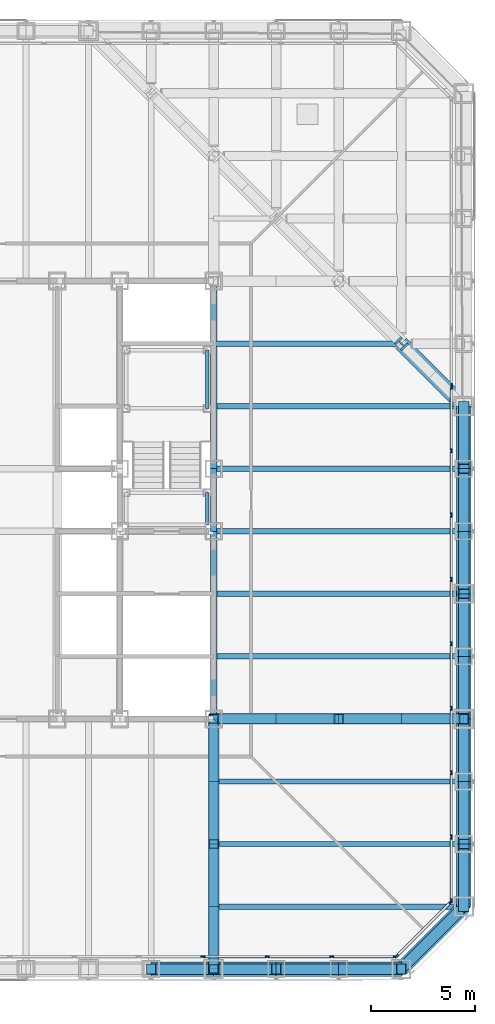
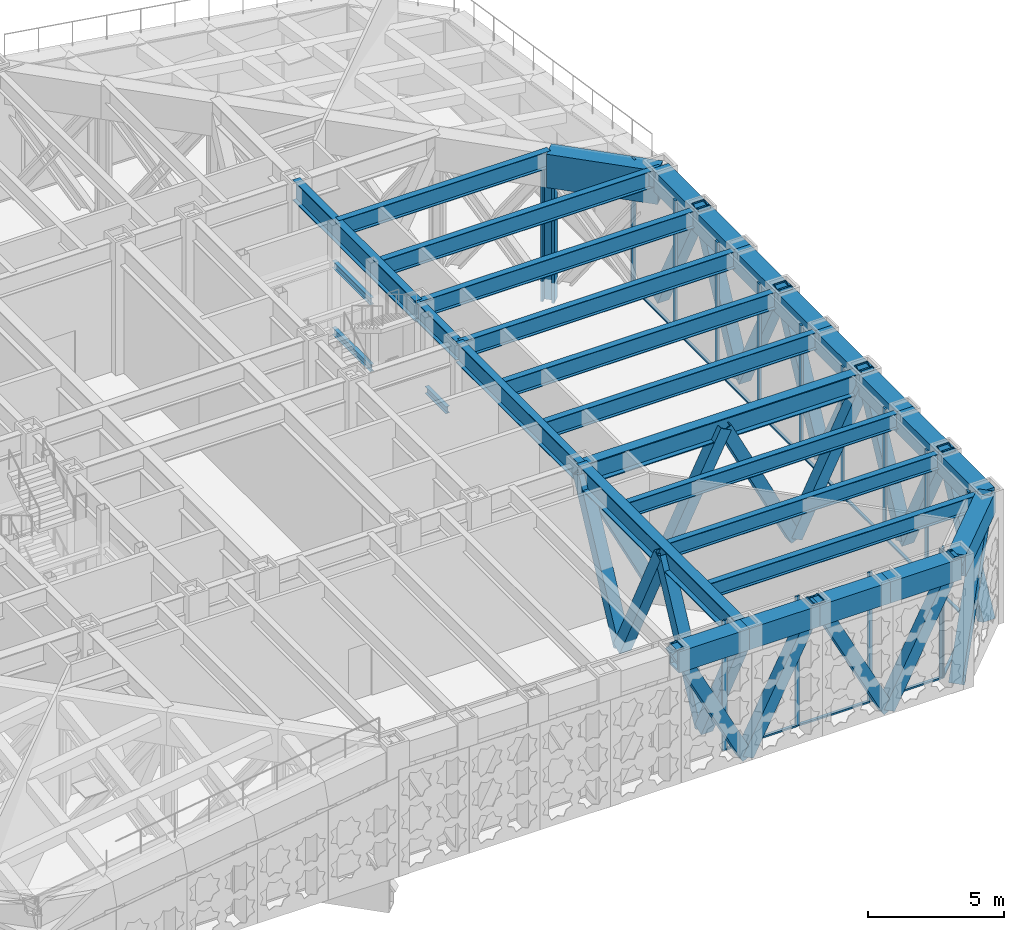
# One storey, part 7 of 31: 51 members, 30 beams, 4 elements without a shape of their own.
"""IFC4 building model written with IfcOpenShell, lengths in metres."""

from ifc_helpers import new_model, si_unit, direction, frame, origin, origin_2d, place, context, subcontext, project, spatial, rectangle, hollow_rectangle, i_section, extrude, material, layer, layer_set, material_profile, profile_set, type_object, element, aggregate, save


model = new_model("IFC4")

# Units and contexts
model_context = context("Model", 3, precision=1e-05, world=origin(), true_north=direction((0.0, 1.0)))
body_context = subcontext(model_context, "Body", "Model", "MODEL_VIEW")
ifc_project = project(units=[si_unit("LENGTHUNIT", "METRE"), si_unit("AREAUNIT", "SQUARE_METRE"), si_unit("VOLUMEUNIT", "CUBIC_METRE"), si_unit("PLANEANGLEUNIT", "RADIAN"), si_unit("MASSUNIT", "GRAM", prefix="KILO")], contexts=[model_context])

# Site, building, storey
site_placement = place(None, origin())
site = spatial("IfcSite", under=ifc_project, at=site_placement, CompositionType="ELEMENT")
building_placement = place(site_placement, origin())
building = spatial("IfcBuilding", under=site, at=building_placement, Name="Chuquiago Exchange Tower", CompositionType="ELEMENT")
storey_placement = place(building_placement, frame((0.0, 0.0, 96.300048828125)))
storey = spatial("IfcBuildingStorey", under=building, at=storey_placement, Name="L20", CompositionType="ELEMENT", Elevation=96.300048828125)

# Beams
ifc_material_1 = material(Name="Steel ASTM A992", Category="steel")
ifc_material_profile_1 = material_profile(ifc_material_1, i_section(OverallWidth=0.307373046875, OverallDepth=0.927001953125, WebThickness=0.01953125, FlangeThickness=0.031982421875, at=origin_2d()), Name="W36X194")
ifc_profile_set_1 = profile_set([ifc_material_profile_1], Name="Steel ASTM A992")
beam_type_1 = type_object("IfcBeamType", Name="B10 W36X194", PredefinedType="BEAM", material=ifc_profile_set_1)
for number, where, z_axis, x_axis, name in (
    (1, (33.0, 12.0, 5.37646484375), (0.0, 1.0, 0.0), (-1.0, 0.0, 0.0), "CB-L21-33_12-33_21"),
    (2, (33.0, 24.0, 5.37646484375), (0.0, 1.0, 0.0), (-1.0, 0.0, 0.0), "CB-L21-33_24-33_33"),
):
    element("IfcBeam", number, at=place(storey_placement, frame(where, z_axis=z_axis, x_axis=x_axis)), inside=storey, type_object=beam_type_1, Name=name, PredefinedType="BEAM", context=body_context, shape_type="SweptSolid", body=[
        extrude(i_section(OverallWidth=0.307373046875, OverallDepth=0.927001953125, WebThickness=0.01953125, FlangeThickness=0.031982421875, at=origin_2d()), origin(), (0.0, 0.0, 1.0), 9.0),
    ])
ifc_material_2 = material(Name="Steel ASTM A992", Category="steel")
ifc_material_profile_2 = material_profile(ifc_material_2, i_section(OverallWidth=0.2919921875, OverallDepth=0.8583984375, WebThickness=0.01708984375, FlangeThickness=0.031005859375, at=origin_2d()), Name="W33X169")
ifc_profile_set_2 = profile_set([ifc_material_profile_2], Name="Steel ASTM A992")
beam_type_2 = type_object("IfcBeamType", Name="B3 W33X169", PredefinedType="BEAM", material=ifc_profile_set_2)
beam_1_placement = place(storey_placement, frame((33.0, 21.0, 5.41064453125), z_axis=(0.0, 1.0, 0.0), x_axis=(-1.0, 0.0, 0.0)))
element("IfcBeam", 3, at=beam_1_placement, inside=storey, type_object=beam_type_2, Name="CB-L21-33_21-33_24", PredefinedType="BEAM", context=body_context, shape_type="SweptSolid", body=[
    extrude(i_section(OverallWidth=0.2919921875, OverallDepth=0.8583984375, WebThickness=0.01708984375, FlangeThickness=0.031005859375, at=origin_2d()), origin(), (0.0, 0.0, 1.0), 3.0),
])
ifc_material_3 = material(Name="Steel ASTM A992", Category="steel")
ifc_material_profile_3 = material_profile(ifc_material_3, i_section(OverallWidth=0.2666015625, OverallDepth=0.761962890625, WebThickness=0.014404296875, FlangeThickness=0.021484375, at=origin_2d()), Name="W30X116")
ifc_profile_set_3 = profile_set([ifc_material_profile_3], Name="Steel ASTM A992")
beam_type_3 = type_object("IfcBeamType", Name="B8 W30X116", PredefinedType="BEAM", material=ifc_profile_set_3)
for number, where, z_axis, x_axis, name in (
    (4, (33.0, 15.0, 5.458984375), (1.0, 0.0, 0.0), (0.0, 1.0, 0.0), "FB-L21-infill-33_15-45_15-0"),
    (5, (33.0, 18.0, 5.458984375), (1.0, 0.0, 0.0), (0.0, 1.0, 0.0), "FB-L21-infill-33_18-45_18-0"),
    (6, (33.0, 21.0, 5.458984375), (1.0, 0.0, 0.0), (0.0, 1.0, 0.0), "FB-L21-infill-33_21-45_21-0"),
    (7, (33.0, 24.0, 5.458984375), (1.0, 0.0, 0.0), (0.0, 1.0, 0.0), "FB-L21-infill-33_24-45_24-0"),
    (8, (33.0, 27.0, 5.458984375), (1.0, 0.0, 0.0), (0.0, 1.0, 0.0), "FB-L21-infill-33_27-45_27-0"),
):
    element("IfcBeam", number, at=place(storey_placement, frame(where, z_axis=z_axis, x_axis=x_axis)), inside=storey, type_object=beam_type_3, Name=name, PredefinedType="BEAM", context=body_context, shape_type="SweptSolid", body=[
        extrude(i_section(OverallWidth=0.2666015625, OverallDepth=0.761962890625, WebThickness=0.014404296875, FlangeThickness=0.021484375, at=origin_2d()), origin(), (0.0, 0.0, 1.0), 12.0),
    ])
beam_2_placement = place(storey_placement, frame((33.0, 30.0, 5.458984375), z_axis=(1.0, 0.0, 0.0), x_axis=(0.0, 1.0, 0.0)))
element("IfcBeam", 9, at=beam_2_placement, inside=storey, type_object=beam_type_3, Name="FB-L21-infill-33_30-42_30-0", PredefinedType="BEAM", context=body_context, shape_type="SweptSolid", body=[
    extrude(i_section(OverallWidth=0.2666015625, OverallDepth=0.761962890625, WebThickness=0.014404296875, FlangeThickness=0.021484375, at=origin_2d()), origin(), (0.0, 0.0, 1.0), 9.0),
])
ifc_material_4 = material(Name="Steel ASTM A992", Category="steel")
ifc_material_profile_4 = material_profile(ifc_material_4, i_section(OverallWidth=0.256591796875, OverallDepth=0.693359375, WebThickness=0.014404296875, FlangeThickness=0.023681640625, at=origin_2d()), Name="W27X114")
ifc_profile_set_4 = profile_set([ifc_material_profile_4], Name="Steel ASTM A992")
beam_type_4 = type_object("IfcBeamType", Name="B9 W27X114", PredefinedType="BEAM", material=ifc_profile_set_4)
for number, where, z_axis, x_axis, name in (
    (10, (33.0, 3.0, 5.4931640625), (1.0, 0.0, 0.0), (0.0, 1.0, 0.0), "FB-L21-corner-33_3-45_3-0"),
    (11, (33.0, 6.0, 5.4931640625), (1.0, 0.0, 0.0), (0.0, 1.0, 0.0), "FB-L21-corner-33_6-45_6-0"),
    (12, (33.0, 9.0, 5.4931640625), (1.0, 0.0, 0.0), (0.0, 1.0, 0.0), "FB-L21-corner-33_9-45_9-0"),
):
    element("IfcBeam", number, at=place(storey_placement, frame(where, z_axis=z_axis, x_axis=x_axis)), inside=storey, type_object=beam_type_4, Name=name, PredefinedType="BEAM", context=body_context, shape_type="SweptSolid", body=[
        extrude(i_section(OverallWidth=0.256591796875, OverallDepth=0.693359375, WebThickness=0.014404296875, FlangeThickness=0.023681640625, at=origin_2d()), origin(), (0.0, 0.0, 1.0), 12.0),
    ])

# Members
ifc_material_5 = material(Name="Steel ASTM A500 Grade C", Category="steel")
ifc_material_profile_5 = material_profile(ifc_material_5, hollow_rectangle(XDim=0.508056640625, YDim=0.508056640625, WallThickness=0.017822265625, at=origin_2d()), Name="HSS20X20X3/4")
ifc_profile_set_5 = profile_set([ifc_material_profile_5], Name="Steel ASTM A500 Grade C")
member_type_1 = type_object("IfcMemberType", Name="BT2 HSS20X20X3/4", PredefinedType="BRACE", material=ifc_profile_set_5)
for number, where, z_axis, x_axis, name in (
    (13, (33.0, 0.0, 0.0), (-0.456944654405, 0.0, 0.889495128042), (0.0, -1.0, 0.0), "Belt truss L20 diagonal"),
    (14, (33.0, 0.0, 0.0), (0.456944654405, 0.0, 0.889495128042), (0.0, 1.0, 0.0), "Belt truss L20 diagonal"),
    (15, (39.0, 0.0, 0.0), (-0.456944654405, 0.0, 0.889495128042), (0.0, -1.0, 0.0), "Belt truss L20 diagonal"),
    (16, (39.0, 0.0, 0.0), (0.456944654405, 0.0, 0.889495128042), (0.0, 1.0, 0.0), "Belt truss L20 diagonal"),
):
    element("IfcMember", number, at=place(storey_placement, frame(where, z_axis=z_axis, x_axis=x_axis)), inside=storey, type_object=member_type_1, Name=name, PredefinedType="BRACE", context=body_context, shape_type="SweptSolid", body=[
        extrude(hollow_rectangle(XDim=0.508056640625, YDim=0.508056640625, WallThickness=0.017822265625, at=origin_2d()), origin(), (0.0, 0.0, 1.0), 6.5654296875),
    ])
member_1_placement = place(storey_placement, frame((42.0, 0.0, 0.0), z_axis=(0.415610642288, 0.415610642288, 0.809033737266), x_axis=(-0.707106781187, 0.707106781187, 0.0)))
element("IfcMember", 17, at=member_1_placement, inside=storey, type_object=member_type_1, Name="Belt truss L20 diagonal", PredefinedType="BRACE", context=body_context, shape_type="SweptSolid", body=[
    extrude(hollow_rectangle(XDim=0.508056640625, YDim=0.508056640625, WallThickness=0.017822265625, at=origin_2d()), origin(), (0.0, 0.0, 1.0), 7.21826171875),
])
for number, where, z_axis, x_axis, name in (
    (18, (45.0, 3.0, 0.0), (0.0, 0.456944654405, 0.889495128042), (-1.0, 0.0, 0.0), "Belt truss L20 diagonal"),
    (19, (45.0, 9.0, 0.0), (0.0, -0.456944654405, 0.889495128042), (1.0, 0.0, 0.0), "Belt truss L20 diagonal"),
    (20, (45.0, 9.0, 0.0), (0.0, 0.456944654405, 0.889495128042), (-1.0, 0.0, 0.0), "Belt truss L20 diagonal"),
    (21, (45.0, 15.0, 0.0), (0.0, -0.456944654405, 0.889495128042), (1.0, 0.0, 0.0), "Belt truss L20 diagonal"),
    (22, (45.0, 15.0, 0.0), (0.0, 0.456944654405, 0.889495128042), (-1.0, 0.0, 0.0), "Belt truss L20 diagonal"),
    (23, (45.0, 21.0, 0.0), (0.0, -0.456944654405, 0.889495128042), (1.0, 0.0, 0.0), "Belt truss L20 diagonal"),
    (24, (45.0, 21.0, 0.0), (0.0, 0.456944654405, 0.889495128042), (-1.0, 0.0, 0.0), "Belt truss L20 diagonal"),
    (25, (45.0, 27.0, 0.0), (0.0, -0.456944654405, 0.889495128042), (1.0, 0.0, 0.0), "Belt truss L20 diagonal"),
):
    element("IfcMember", number, at=place(storey_placement, frame(where, z_axis=z_axis, x_axis=x_axis)), inside=storey, type_object=member_type_1, Name=name, PredefinedType="BRACE", context=body_context, shape_type="SweptSolid", body=[
        extrude(hollow_rectangle(XDim=0.508056640625, YDim=0.508056640625, WallThickness=0.017822265625, at=origin_2d()), origin(), (0.0, 0.0, 1.0), 6.5654296875),
    ])

# Curtain wall, members
ifc_material_6 = material(Name="Aluminium curtain wall system", Category="aluminium")
ifc_layer = layer(ifc_material_6, 0.199951171875)
ifc_layer_set = layer_set([ifc_layer], Name="CW6 plant floor louvre wall")
curtain_wall_type = type_object("IfcCurtainWallType", Name="CW6 plant floor louvre wall", PredefinedType="NOTDEFINED", material=ifc_layer_set)
curtain_wall_1_placement = place(storey_placement, origin())
curtain_wall_1 = element("IfcCurtainWall", 26, at=curtain_wall_1_placement, inside=storey, type_object=curtain_wall_type, Name="CW6 curtain wall L20", PredefinedType="NOTDEFINED")
ifc_material_7 = material(Name="Aluminium mullion, pale anodised", Category="aluminium")
ifc_material_profile_6 = material_profile(ifc_material_7, rectangle(XDim=0.074951171875, YDim=0.199951171875, at=origin_2d()), Name="AL 75x200")
ifc_profile_set_6 = profile_set([ifc_material_profile_6], Name="Aluminium mullion, pale anodised")
member_type_2 = type_object("IfcMemberType", Name="CW6-M mullion 75x200", PredefinedType="MULLION", material=ifc_profile_set_6)
member_2_placement = place(storey_placement, frame((32.487060546875, 0.60009765625, 0.0), z_axis=(0.0, 0.0, 1.0), x_axis=(0.0, 1.0, 0.0)))
member_2 = element("IfcMember", 27, at=member_2_placement, type_object=member_type_2, Name="CW6 mullion 6", PredefinedType="MULLION", context=body_context, shape_type="SweptSolid", body=[
    extrude(rectangle(XDim=0.074951171875, YDim=0.199951171875, at=origin_2d()), origin(), (0.0, 0.0, 1.0), 5.83984375),
])
member_3_placement = place(storey_placement, frame((35.5751953125, 0.60009765625, 0.0), z_axis=(0.0, 0.0, 1.0), x_axis=(0.0, 1.0, 0.0)))
member_3 = element("IfcMember", 28, at=member_3_placement, type_object=member_type_2, Name="CW6 mullion 7", PredefinedType="MULLION", context=body_context, shape_type="SweptSolid", body=[
    extrude(rectangle(XDim=0.074951171875, YDim=0.199951171875, at=origin_2d()), origin(), (0.0, 0.0, 1.0), 5.83984375),
])
member_4_placement = place(storey_placement, frame((38.663330078125, 0.60009765625, 0.0), z_axis=(0.0, 0.0, 1.0), x_axis=(0.0, 1.0, 0.0)))
member_4 = element("IfcMember", 29, at=member_4_placement, type_object=member_type_2, Name="CW6 mullion 8", PredefinedType="MULLION", context=body_context, shape_type="SweptSolid", body=[
    extrude(rectangle(XDim=0.074951171875, YDim=0.199951171875, at=origin_2d()), origin(), (0.0, 0.0, 1.0), 5.83984375),
])
member_5_placement = place(storey_placement, frame((41.714111328125, 0.60009765625, 0.0), z_axis=(0.0, 0.0, 1.0), x_axis=(0.0, 1.0, 0.0)))
member_5 = element("IfcMember", 30, at=member_5_placement, type_object=member_type_2, Name="CW6 mullion 9", PredefinedType="MULLION", context=body_context, shape_type="SweptSolid", body=[
    extrude(rectangle(XDim=0.074951171875, YDim=0.199951171875, at=origin_2d()), origin(), (0.0, 0.0, 1.0), 5.83984375),
])

curtain_wall_2_placement = place(storey_placement, origin())
curtain_wall_2 = element("IfcCurtainWall", 31, at=curtain_wall_2_placement, inside=storey, type_object=curtain_wall_type, Name="CW6 curtain wall L20", PredefinedType="NOTDEFINED")
member_6_placement = place(storey_placement, frame((41.778076171875, 0.62646484375, 0.0), z_axis=(0.0, 0.0, 1.0), x_axis=(-0.707106781187, 0.707106781187, 0.0)))
member_6 = element("IfcMember", 32, at=member_6_placement, type_object=member_type_2, Name="CW6 mullion 1", PredefinedType="MULLION", context=body_context, shape_type="SweptSolid", body=[
    extrude(rectangle(XDim=0.074951171875, YDim=0.199951171875, at=origin_2d()), origin(), (0.0, 0.0, 1.0), 5.83984375),
])
member_7_placement = place(storey_placement, frame((44.37353515625, 3.221923828125, 0.0), z_axis=(0.0, 0.0, 1.0), x_axis=(-0.707106781187, 0.707106781187, 0.0)))
member_7 = element("IfcMember", 33, at=member_7_placement, type_object=member_type_2, Name="CW6 mullion 2", PredefinedType="MULLION", context=body_context, shape_type="SweptSolid", body=[
    extrude(rectangle(XDim=0.074951171875, YDim=0.199951171875, at=origin_2d()), origin(), (0.0, 0.0, 1.0), 5.83984375),
])

curtain_wall_3_placement = place(storey_placement, origin())
curtain_wall_3 = element("IfcCurtainWall", 34, at=curtain_wall_3_placement, inside=storey, type_object=curtain_wall_type, Name="CW6 curtain wall L20", PredefinedType="NOTDEFINED")
member_8_placement = place(storey_placement, frame((44.39990234375, 3.285888671875, 0.0), z_axis=(0.0, 0.0, 1.0), x_axis=(-1.0, 0.0, 0.0)))
member_8 = element("IfcMember", 35, at=member_8_placement, type_object=member_type_2, Name="CW6 mullion 1", PredefinedType="MULLION", context=body_context, shape_type="SweptSolid", body=[
    extrude(rectangle(XDim=0.074951171875, YDim=0.199951171875, at=origin_2d()), origin(), (0.0, 0.0, 1.0), 5.83984375),
])
member_9_placement = place(storey_placement, frame((44.39990234375, 6.336669921875, 0.0), z_axis=(0.0, 0.0, 1.0), x_axis=(-1.0, 0.0, 0.0)))
member_9 = element("IfcMember", 36, at=member_9_placement, type_object=member_type_2, Name="CW6 mullion 2", PredefinedType="MULLION", context=body_context, shape_type="SweptSolid", body=[
    extrude(rectangle(XDim=0.074951171875, YDim=0.199951171875, at=origin_2d()), origin(), (0.0, 0.0, 1.0), 5.83984375),
])
member_10_placement = place(storey_placement, frame((44.39990234375, 9.4248046875, 0.0), z_axis=(0.0, 0.0, 1.0), x_axis=(-1.0, 0.0, 0.0)))
member_10 = element("IfcMember", 37, at=member_10_placement, type_object=member_type_2, Name="CW6 mullion 3", PredefinedType="MULLION", context=body_context, shape_type="SweptSolid", body=[
    extrude(rectangle(XDim=0.074951171875, YDim=0.199951171875, at=origin_2d()), origin(), (0.0, 0.0, 1.0), 5.83984375),
])
member_11_placement = place(storey_placement, frame((44.39990234375, 12.512939453125, 0.0), z_axis=(0.0, 0.0, 1.0), x_axis=(-1.0, 0.0, 0.0)))
member_11 = element("IfcMember", 38, at=member_11_placement, type_object=member_type_2, Name="CW6 mullion 4", PredefinedType="MULLION", context=body_context, shape_type="SweptSolid", body=[
    extrude(rectangle(XDim=0.074951171875, YDim=0.199951171875, at=origin_2d()), origin(), (0.0, 0.0, 1.0), 5.83984375),
])
member_12_placement = place(storey_placement, frame((44.39990234375, 15.60107421875, 0.0), z_axis=(0.0, 0.0, 1.0), x_axis=(-1.0, 0.0, 0.0)))
member_12 = element("IfcMember", 39, at=member_12_placement, type_object=member_type_2, Name="CW6 mullion 5", PredefinedType="MULLION", context=body_context, shape_type="SweptSolid", body=[
    extrude(rectangle(XDim=0.074951171875, YDim=0.199951171875, at=origin_2d()), origin(), (0.0, 0.0, 1.0), 5.83984375),
])
member_13_placement = place(storey_placement, frame((44.39990234375, 18.689208984375, 0.0), z_axis=(0.0, 0.0, 1.0), x_axis=(-1.0, 0.0, 0.0)))
member_13 = element("IfcMember", 40, at=member_13_placement, type_object=member_type_2, Name="CW6 mullion 6", PredefinedType="MULLION", context=body_context, shape_type="SweptSolid", body=[
    extrude(rectangle(XDim=0.074951171875, YDim=0.199951171875, at=origin_2d()), origin(), (0.0, 0.0, 1.0), 5.83984375),
])
member_14_placement = place(storey_placement, frame((44.39990234375, 21.77734375, 0.0), z_axis=(0.0, 0.0, 1.0), x_axis=(-1.0, 0.0, 0.0)))
member_14 = element("IfcMember", 41, at=member_14_placement, type_object=member_type_2, Name="CW6 mullion 7", PredefinedType="MULLION", context=body_context, shape_type="SweptSolid", body=[
    extrude(rectangle(XDim=0.074951171875, YDim=0.199951171875, at=origin_2d()), origin(), (0.0, 0.0, 1.0), 5.83984375),
])
member_15_placement = place(storey_placement, frame((44.39990234375, 24.865478515625, 0.0), z_axis=(0.0, 0.0, 1.0), x_axis=(-1.0, 0.0, 0.0)))
member_15 = element("IfcMember", 42, at=member_15_placement, type_object=member_type_2, Name="CW6 mullion 8", PredefinedType="MULLION", context=body_context, shape_type="SweptSolid", body=[
    extrude(rectangle(XDim=0.074951171875, YDim=0.199951171875, at=origin_2d()), origin(), (0.0, 0.0, 1.0), 5.83984375),
])
member_16_placement = place(storey_placement, frame((44.39990234375, 27.916015625, 0.0), z_axis=(0.0, 0.0, 1.0), x_axis=(-1.0, 0.0, 0.0)))
member_16 = element("IfcMember", 43, at=member_16_placement, type_object=member_type_2, Name="CW6 mullion 9", PredefinedType="MULLION", context=body_context, shape_type="SweptSolid", body=[
    extrude(rectangle(XDim=0.074951171875, YDim=0.199951171875, at=origin_2d()), origin(), (0.0, 0.0, 1.0), 5.83984375),
])

# Curtain wall, member
curtain_wall_4_placement = place(storey_placement, origin())
curtain_wall_4 = element("IfcCurtainWall", 44, at=curtain_wall_4_placement, inside=storey, type_object=curtain_wall_type, Name="CW6 curtain wall L20", PredefinedType="NOTDEFINED")
member_17_placement = place(storey_placement, frame((44.39990234375, 27.990966796875, 0.0), z_axis=(0.0, 0.0, 1.0), x_axis=(-1.0, 0.0, 0.0)))
member_17 = element("IfcMember", 45, at=member_17_placement, type_object=member_type_2, Name="CW6 mullion 1", PredefinedType="MULLION", context=body_context, shape_type="SweptSolid", body=[
    extrude(rectangle(XDim=0.074951171875, YDim=0.199951171875, at=origin_2d()), origin(), (0.0, 0.0, 1.0), 3.66845703125),
])
aggregate(curtain_wall_4, [member_17])

# Member
ifc_material_8 = material(Name="Aluminium transom, pale anodised", Category="aluminium")
ifc_material_profile_7 = material_profile(ifc_material_8, rectangle(XDim=0.1201171875, YDim=0.074951171875, at=origin_2d()), Name="AL 120x75")
ifc_profile_set_7 = profile_set([ifc_material_profile_7], Name="Aluminium transom, pale anodised")
member_type_3 = type_object("IfcMemberType", Name="CW6-T transom 75x120", PredefinedType="MULLION", material=ifc_profile_set_7)
member_18_placement = place(storey_placement, frame((32.524658203125, 0.60009765625, 0.037353515625), z_axis=(1.0, 0.0, 0.0), x_axis=(0.0, 1.0, 0.0)))
member_18 = element("IfcMember", 46, at=member_18_placement, type_object=member_type_3, Name="CW6 transom 6.1", PredefinedType="MULLION", context=body_context, shape_type="SweptSolid", body=[
    extrude(rectangle(XDim=0.1201171875, YDim=0.074951171875, at=origin_2d()), origin(), (0.0, 0.0, 1.0), 3.01318359375),
])

member_19_placement = place(storey_placement, frame((35.61279296875, 0.60009765625, 0.037353515625), z_axis=(1.0, 0.0, 0.0), x_axis=(0.0, 1.0, 0.0)))
member_19 = element("IfcMember", 47, at=member_19_placement, type_object=member_type_3, Name="CW6 transom 7.1", PredefinedType="MULLION", context=body_context, shape_type="SweptSolid", body=[
    extrude(rectangle(XDim=0.1201171875, YDim=0.074951171875, at=origin_2d()), origin(), (0.0, 0.0, 1.0), 3.01318359375),
])

member_20_placement = place(storey_placement, frame((38.700927734375, 0.60009765625, 0.037353515625), z_axis=(1.0, 0.0, 0.0), x_axis=(0.0, 1.0, 0.0)))
member_20 = element("IfcMember", 48, at=member_20_placement, type_object=member_type_3, Name="CW6 transom 8.1", PredefinedType="MULLION", context=body_context, shape_type="SweptSolid", body=[
    extrude(rectangle(XDim=0.1201171875, YDim=0.074951171875, at=origin_2d()), origin(), (0.0, 0.0, 1.0), 2.9755859375),
])

aggregate(curtain_wall_1, [member_2, member_3, member_4, member_5, member_18, member_19, member_20])

member_21_placement = place(storey_placement, frame((41.804443359375, 0.653076171875, 0.037353515625), z_axis=(0.707106781187, 0.707106781187, 0.0), x_axis=(-0.707106781187, 0.707106781187, 0.0)))
member_21 = element("IfcMember", 49, at=member_21_placement, type_object=member_type_3, Name="CW6 transom 1.1", PredefinedType="MULLION", context=body_context, shape_type="SweptSolid", body=[
    extrude(rectangle(XDim=0.1201171875, YDim=0.074951171875, at=origin_2d()), origin(), (0.0, 0.0, 1.0), 3.595703125),
])

aggregate(curtain_wall_2, [member_6, member_7, member_21])

member_22_placement = place(storey_placement, frame((44.39990234375, 3.323486328125, 0.037353515625), z_axis=(0.0, 1.0, 0.0), x_axis=(-1.0, 0.0, 0.0)))
member_22 = element("IfcMember", 50, at=member_22_placement, type_object=member_type_3, Name="CW6 transom 1.1", PredefinedType="MULLION", context=body_context, shape_type="SweptSolid", body=[
    extrude(rectangle(XDim=0.1201171875, YDim=0.074951171875, at=origin_2d()), origin(), (0.0, 0.0, 1.0), 2.9755859375),
])

member_23_placement = place(storey_placement, frame((44.39990234375, 6.3740234375, 0.037353515625), z_axis=(0.0, 1.0, 0.0), x_axis=(-1.0, 0.0, 0.0)))
member_23 = element("IfcMember", 51, at=member_23_placement, type_object=member_type_3, Name="CW6 transom 2.1", PredefinedType="MULLION", context=body_context, shape_type="SweptSolid", body=[
    extrude(rectangle(XDim=0.1201171875, YDim=0.074951171875, at=origin_2d()), origin(), (0.0, 0.0, 1.0), 3.01318359375),
])

member_24_placement = place(storey_placement, frame((44.39990234375, 9.462158203125, 0.037353515625), z_axis=(0.0, 1.0, 0.0), x_axis=(-1.0, 0.0, 0.0)))
member_24 = element("IfcMember", 52, at=member_24_placement, type_object=member_type_3, Name="CW6 transom 3.1", PredefinedType="MULLION", context=body_context, shape_type="SweptSolid", body=[
    extrude(rectangle(XDim=0.1201171875, YDim=0.074951171875, at=origin_2d()), origin(), (0.0, 0.0, 1.0), 3.01318359375),
])

member_25_placement = place(storey_placement, frame((44.39990234375, 12.55029296875, 0.037353515625), z_axis=(0.0, 1.0, 0.0), x_axis=(-1.0, 0.0, 0.0)))
member_25 = element("IfcMember", 53, at=member_25_placement, type_object=member_type_3, Name="CW6 transom 4.1", PredefinedType="MULLION", context=body_context, shape_type="SweptSolid", body=[
    extrude(rectangle(XDim=0.1201171875, YDim=0.074951171875, at=origin_2d()), origin(), (0.0, 0.0, 1.0), 3.01318359375),
])

member_26_placement = place(storey_placement, frame((44.39990234375, 15.638427734375, 0.037353515625), z_axis=(0.0, 1.0, 0.0), x_axis=(-1.0, 0.0, 0.0)))
member_26 = element("IfcMember", 54, at=member_26_placement, type_object=member_type_3, Name="CW6 transom 5.1", PredefinedType="MULLION", context=body_context, shape_type="SweptSolid", body=[
    extrude(rectangle(XDim=0.1201171875, YDim=0.074951171875, at=origin_2d()), origin(), (0.0, 0.0, 1.0), 3.01318359375),
])

member_27_placement = place(storey_placement, frame((44.39990234375, 18.7265625, 0.037353515625), z_axis=(0.0, 1.0, 0.0), x_axis=(-1.0, 0.0, 0.0)))
member_27 = element("IfcMember", 55, at=member_27_placement, type_object=member_type_3, Name="CW6 transom 6.1", PredefinedType="MULLION", context=body_context, shape_type="SweptSolid", body=[
    extrude(rectangle(XDim=0.1201171875, YDim=0.074951171875, at=origin_2d()), origin(), (0.0, 0.0, 1.0), 3.01318359375),
])

member_28_placement = place(storey_placement, frame((44.39990234375, 21.814697265625, 0.037353515625), z_axis=(0.0, 1.0, 0.0), x_axis=(-1.0, 0.0, 0.0)))
member_28 = element("IfcMember", 56, at=member_28_placement, type_object=member_type_3, Name="CW6 transom 7.1", PredefinedType="MULLION", context=body_context, shape_type="SweptSolid", body=[
    extrude(rectangle(XDim=0.1201171875, YDim=0.074951171875, at=origin_2d()), origin(), (0.0, 0.0, 1.0), 3.01318359375),
])

member_29_placement = place(storey_placement, frame((44.39990234375, 24.90283203125, 0.037353515625), z_axis=(0.0, 1.0, 0.0), x_axis=(-1.0, 0.0, 0.0)))
member_29 = element("IfcMember", 57, at=member_29_placement, type_object=member_type_3, Name="CW6 transom 8.1", PredefinedType="MULLION", context=body_context, shape_type="SweptSolid", body=[
    extrude(rectangle(XDim=0.1201171875, YDim=0.074951171875, at=origin_2d()), origin(), (0.0, 0.0, 1.0), 2.9755859375),
])

aggregate(curtain_wall_3, [member_8, member_9, member_10, member_11, member_12, member_13, member_14, member_15, member_16, member_22, member_23, member_24, member_25, member_26, member_27, member_28, member_29])

# Beams
ifc_material_9 = material(Name="Steel ASTM A992", Category="steel")
ifc_material_profile_8 = material_profile(ifc_material_9, i_section(OverallWidth=0.424072265625, OverallDepth=0.947509765625, WebThickness=0.02392578125, FlangeThickness=0.042724609375, at=origin_2d()), Name="W36X302")
ifc_profile_set_8 = profile_set([ifc_material_profile_8], Name="Steel ASTM A992")
beam_type_5 = type_object("IfcBeamType", Name="G4 W36X302", PredefinedType="BEAM", material=ifc_profile_set_8)
for number, where, z_axis, x_axis, name in (
    (58, (33.0, 12.0, 5.3662109375), (0.0, -1.0, 0.0), (1.0, 0.0, 0.0), "FB-L21-girder-33_12-33_-0-0"),
    (59, (33.0, 12.0, 5.3662109375), (1.0, 0.0, 0.0), (0.0, 1.0, 0.0), "FB-L21-girder-33_12-45_12-0"),
):
    element("IfcBeam", number, at=place(storey_placement, frame(where, z_axis=z_axis, x_axis=x_axis)), inside=storey, type_object=beam_type_5, Name=name, PredefinedType="BEAM", context=body_context, shape_type="SweptSolid", body=[
        extrude(i_section(OverallWidth=0.424072265625, OverallDepth=0.947509765625, WebThickness=0.02392578125, FlangeThickness=0.042724609375, at=origin_2d()), origin(), (0.0, 0.0, 1.0), 12.0),
    ])
ifc_material_10 = material(Name="Steel ASTM A992", Category="steel")
ifc_material_profile_9 = material_profile(ifc_material_10, i_section(OverallWidth=0.164794921875, OverallDepth=0.309814453125, WebThickness=0.005859375, FlangeThickness=0.009765625, at=origin_2d()), Name="W12X26")
ifc_profile_set_9 = profile_set([ifc_material_profile_9], Name="Steel ASTM A992")
beam_type_6 = type_object("IfcBeamType", Name="LS1 W12X26", PredefinedType="BEAM", material=ifc_profile_set_9)
beam_3_placement = place(storey_placement, frame((32.68994140625, 26.889892578125, 1.14501953125), z_axis=(0.0, 1.0, 0.0), x_axis=(-1.0, 0.0, 0.0)))
element("IfcBeam", 60, at=beam_3_placement, inside=storey, type_object=beam_type_6, Name="Stair ST2 L20 landing 1 stringer", PredefinedType="BEAM", context=body_context, shape_type="SweptSolid", body=[
    extrude(i_section(OverallWidth=0.164794921875, OverallDepth=0.309814453125, WebThickness=0.005859375, FlangeThickness=0.009765625, at=origin_2d()), origin(), (0.0, 0.0, 1.0), 2.800048828125),
])
beam_4_placement = place(storey_placement, frame((32.68994140625, 21.31005859375, 2.64501953125), z_axis=(0.0, 1.0, 0.0), x_axis=(-1.0, 0.0, 0.0)))
element("IfcBeam", 61, at=beam_4_placement, inside=storey, type_object=beam_type_6, Name="Stair ST2 L20 landing 2 stringer", PredefinedType="BEAM", context=body_context, shape_type="SweptSolid", body=[
    extrude(i_section(OverallWidth=0.164794921875, OverallDepth=0.309814453125, WebThickness=0.005859375, FlangeThickness=0.009765625, at=origin_2d()), origin(), (0.0, 0.0, 1.0), 1.5400390625),
])
beam_5_placement = place(storey_placement, frame((32.68994140625, 26.889892578125, 4.14501953125), z_axis=(0.0, 1.0, 0.0), x_axis=(-1.0, 0.0, 0.0)))
element("IfcBeam", 62, at=beam_5_placement, inside=storey, type_object=beam_type_6, Name="Stair ST2 L20 landing 3 stringer", PredefinedType="BEAM", context=body_context, shape_type="SweptSolid", body=[
    extrude(i_section(OverallWidth=0.164794921875, OverallDepth=0.309814453125, WebThickness=0.005859375, FlangeThickness=0.009765625, at=origin_2d()), origin(), (0.0, 0.0, 1.0), 2.800048828125),
])

# Members
ifc_material_11 = material(Name="Steel ASTM A572 Grade 50", Category="steel")
ifc_material_profile_10 = material_profile(ifc_material_11, hollow_rectangle(XDim=0.5, YDim=0.5, WallThickness=0.0400390625, at=origin_2d()), Name="BOX500X500X40")
ifc_profile_set_10 = profile_set([ifc_material_profile_10], Name="Steel ASTM A572 Grade 50")
member_type_4 = type_object("IfcMemberType", Name="OT1 BOX500X500X40", PredefinedType="BRACE", material=ifc_profile_set_10)
for number, where, z_axis, x_axis, name in (
    (63, (33.0, 12.0, 5.3662109375), (0.0, -0.4472135955, -0.894427191), (1.0, 0.0, 0.0), "Outrigger diagonal L20"),
    (64, (33.0, 9.0, -0.6337890625), (0.0, -0.4472135955, 0.894427191), (1.0, 0.0, 0.0), "Outrigger diagonal L20"),
    (65, (33.0, 6.0, 5.3662109375), (0.0, -0.4472135955, -0.894427191), (1.0, 0.0, 0.0), "Outrigger diagonal L20"),
    (66, (33.0, 3.0, -0.6337890625), (0.0, -0.4472135955, 0.894427191), (1.0, 0.0, 0.0), "Outrigger diagonal L20"),
    (67, (33.0, 12.0, 5.3662109375), (0.4472135955, 0.0, -0.894427191), (0.0, 1.0, 0.0), "Outrigger diagonal L20"),
    (68, (36.0, 12.0, -0.6337890625), (0.4472135955, 0.0, 0.894427191), (0.0, 1.0, 0.0), "Outrigger diagonal L20"),
    (69, (39.0, 12.0, 5.3662109375), (0.4472135955, 0.0, -0.894427191), (0.0, 1.0, 0.0), "Outrigger diagonal L20"),
    (70, (42.0, 12.0, -0.6337890625), (0.4472135955, 0.0, 0.894427191), (0.0, 1.0, 0.0), "Outrigger diagonal L20"),
):
    element("IfcMember", number, at=place(storey_placement, frame(where, z_axis=z_axis, x_axis=x_axis)), inside=storey, type_object=member_type_4, Name=name, PredefinedType="BRACE", context=body_context, shape_type="SweptSolid", body=[
        extrude(hollow_rectangle(XDim=0.5, YDim=0.5, WallThickness=0.0400390625, at=origin_2d()), origin(), (0.0, 0.0, 1.0), 6.708251953125),
    ])

# Beams
ifc_material_12 = material(Name="Steel ASTM A572 Grade 50", Category="steel")
ifc_material_profile_11 = material_profile(ifc_material_12, hollow_rectangle(XDim=0.699951171875, YDim=0.949951171875, WallThickness=0.10009765625, at=origin_2d()), Name="BOX950X700X100")
ifc_profile_set_11 = profile_set([ifc_material_profile_11], Name="Steel ASTM A572 Grade 50")
beam_type_7 = type_object("IfcBeamType", Name="SP5 BOX950X700X100", PredefinedType="SPANDREL", material=ifc_profile_set_11)
for number, where, z_axis, x_axis, name in (
    (71, (30.0, 0.0, 5.364990234375), (1.0, 0.0, 0.0), (0.0, 1.0, 0.0), "SPB-L21-30_0-33_0"),
    (72, (33.0, 0.0, 5.364990234375), (1.0, 0.0, 0.0), (0.0, 1.0, 0.0), "SPB-L21-33_0-36_0"),
    (73, (36.0, 0.0, 5.364990234375), (1.0, 0.0, 0.0), (0.0, 1.0, 0.0), "SPB-L21-36_0-39_0"),
    (74, (39.0, 0.0, 5.364990234375), (1.0, 0.0, 0.0), (0.0, 1.0, 0.0), "SPB-L21-39_0-42_0"),
):
    element("IfcBeam", number, at=place(storey_placement, frame(where, z_axis=z_axis, x_axis=x_axis)), inside=storey, type_object=beam_type_7, Name=name, PredefinedType="SPANDREL", context=body_context, shape_type="SweptSolid", body=[
        extrude(hollow_rectangle(XDim=0.699951171875, YDim=0.949951171875, WallThickness=0.10009765625, at=origin_2d()), origin(), (0.0, 0.0, 1.0), 3.0),
    ])
beam_6_placement = place(storey_placement, frame((42.0, 0.0, 5.364990234375), z_axis=(0.707106781187, 0.707106781187, 0.0), x_axis=(-0.707106781187, 0.707106781187, 0.0)))
element("IfcBeam", 75, at=beam_6_placement, inside=storey, type_object=beam_type_7, Name="SPB-L21-42_0-45_3", PredefinedType="SPANDREL", context=body_context, shape_type="SweptSolid", body=[
    extrude(hollow_rectangle(XDim=0.699951171875, YDim=0.949951171875, WallThickness=0.10009765625, at=origin_2d()), origin(), (0.0, 0.0, 1.0), 4.24267578125),
])
for number, where, z_axis, x_axis, name in (
    (76, (45.0, 3.0, 5.364990234375), (0.0, 1.0, 0.0), (-1.0, 0.0, 0.0), "SPB-L21-45_3-45_6"),
    (77, (45.0, 6.0, 5.364990234375), (0.0, 1.0, 0.0), (-1.0, 0.0, 0.0), "SPB-L21-45_6-45_9"),
    (78, (45.0, 9.0, 5.364990234375), (0.0, 1.0, 0.0), (-1.0, 0.0, 0.0), "SPB-L21-45_9-45_12"),
    (79, (45.0, 12.0, 5.364990234375), (0.0, 1.0, 0.0), (-1.0, 0.0, 0.0), "SPB-L21-45_12-45_15"),
    (80, (45.0, 15.0, 5.364990234375), (0.0, 1.0, 0.0), (-1.0, 0.0, 0.0), "SPB-L21-45_15-45_18"),
    (81, (45.0, 18.0, 5.364990234375), (0.0, 1.0, 0.0), (-1.0, 0.0, 0.0), "SPB-L21-45_18-45_21"),
    (82, (45.0, 21.0, 5.364990234375), (0.0, 1.0, 0.0), (-1.0, 0.0, 0.0), "SPB-L21-45_21-45_24"),
    (83, (45.0, 24.0, 5.364990234375), (0.0, 1.0, 0.0), (-1.0, 0.0, 0.0), "SPB-L21-45_24-45_27"),
):
    element("IfcBeam", number, at=place(storey_placement, frame(where, z_axis=z_axis, x_axis=x_axis)), inside=storey, type_object=beam_type_7, Name=name, PredefinedType="SPANDREL", context=body_context, shape_type="SweptSolid", body=[
        extrude(hollow_rectangle(XDim=0.699951171875, YDim=0.949951171875, WallThickness=0.10009765625, at=origin_2d()), origin(), (0.0, 0.0, 1.0), 3.0),
    ])

# Members
ifc_material_13 = material(Name="Steel ASTM A572 Grade 50", Category="steel")
ifc_material_profile_12 = material_profile(ifc_material_13, hollow_rectangle(XDim=0.699951171875, YDim=1.5, WallThickness=0.080078125, at=origin_2d()), Name="BOX1500X700X80")
ifc_profile_set_12 = profile_set([ifc_material_profile_12], Name="Steel ASTM A572 Grade 50")
member_type_5 = type_object("IfcMemberType", Name="TT1 BOX1500X700X80", PredefinedType="CHORD", material=ifc_profile_set_12)
member_30_placement = place(storey_placement, frame((45.0, 27.0, 5.08984375), z_axis=(-0.707106781187, 0.707106781187, 0.0), x_axis=(-0.707106781187, -0.707106781187, 0.0)))
element("IfcMember", 84, at=member_30_placement, inside=storey, type_object=member_type_5, Name="Transfer truss L20 NE top chord", PredefinedType="CHORD", context=body_context, shape_type="SweptSolid", body=[
    extrude(hollow_rectangle(XDim=0.699951171875, YDim=1.5, WallThickness=0.080078125, at=origin_2d()), origin(), (0.0, 0.0, 1.0), 4.24267578125),
])
ifc_material_14 = material(Name="Steel ASTM A992", Category="steel")
ifc_material_profile_13 = material_profile(ifc_material_14, i_section(OverallWidth=0.44189453125, OverallDepth=0.53076171875, WebThickness=0.06591796875, FlangeThickness=0.105712890625, at=origin_2d()), Name="W14X605")
ifc_profile_set_13 = profile_set([ifc_material_profile_13], Name="Steel ASTM A992")
member_type_6 = type_object("IfcMemberType", Name="TT2 W14X605", PredefinedType="STRUT", material=ifc_profile_set_13)
member_31_placement = place(storey_placement, frame((42.0, 30.0, -0.91015625), z_axis=(0.0, 0.0, 1.0), x_axis=(0.707106781187, 0.707106781187, 0.0)))
element("IfcMember", 85, at=member_31_placement, inside=storey, type_object=member_type_6, Name="Transfer truss L20 NE post", PredefinedType="STRUT", context=body_context, shape_type="SweptSolid", body=[
    extrude(i_section(OverallWidth=0.44189453125, OverallDepth=0.53076171875, WebThickness=0.06591796875, FlangeThickness=0.105712890625, at=origin_2d()), origin(), (0.0, 0.0, 1.0), 6.0),
])

save(model, "model.ifc")
